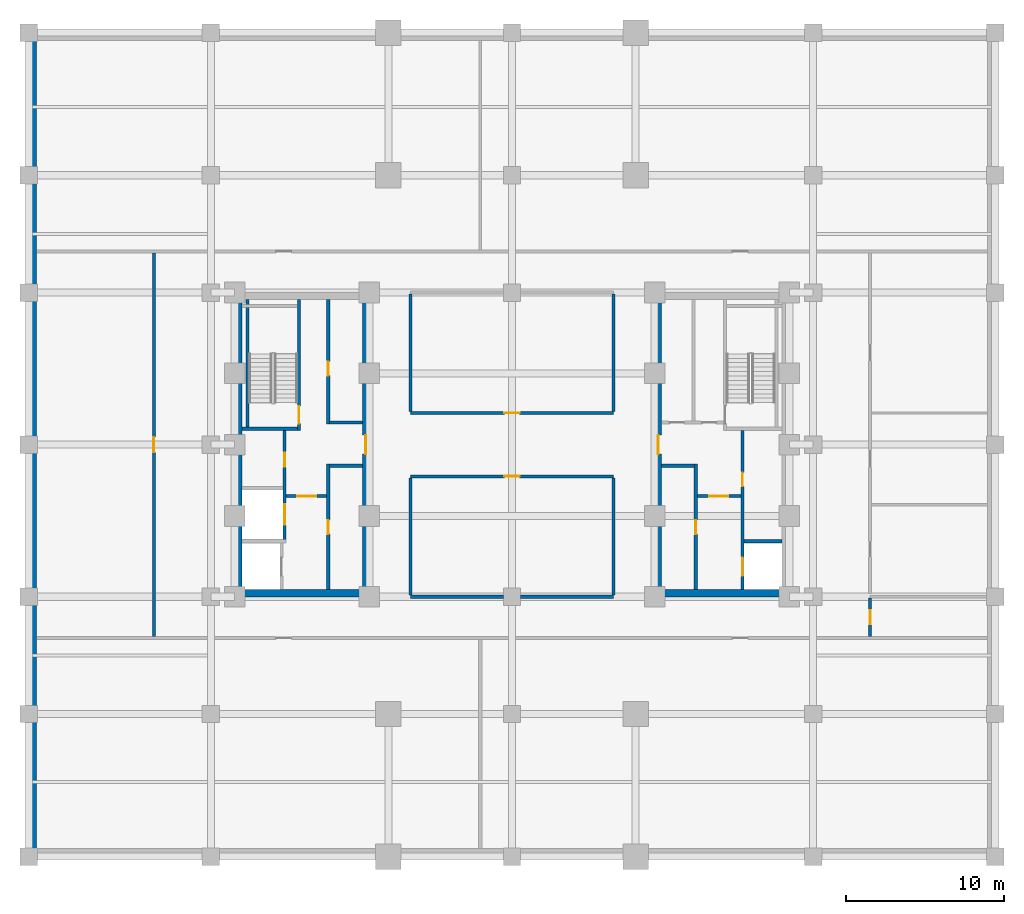
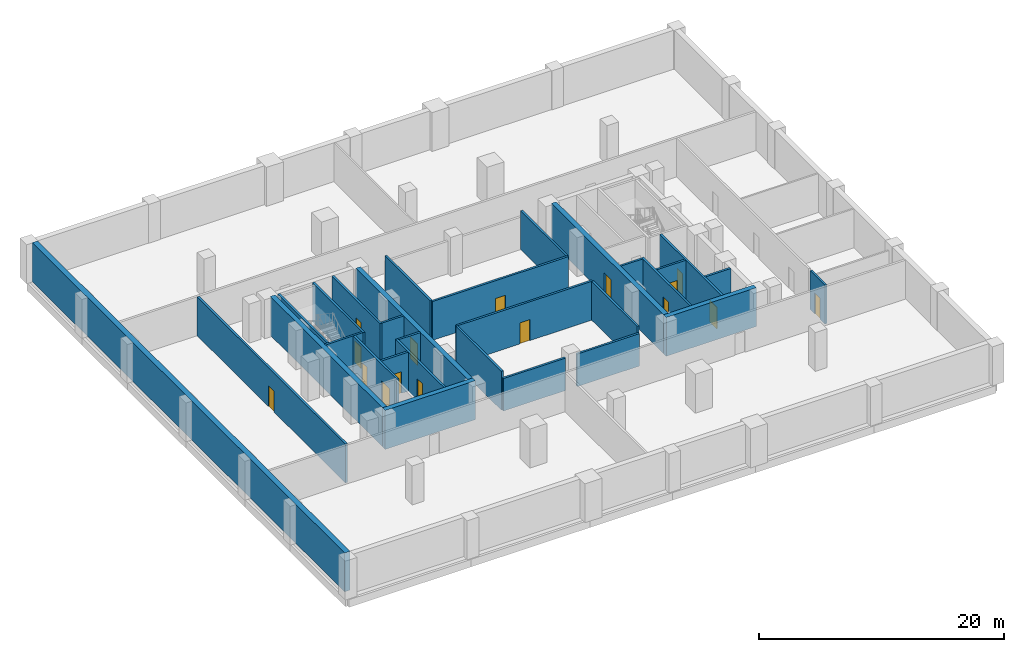
# One storey, part 3 of 6: 30 walls, 16 doors, 16 openings.
"""IFC4 building model written with IfcOpenShell, lengths in metres."""

from ifc_helpers import new_model, si_unit, direction, frame, frame_2d, origin, place, context, subcontext, project, spatial, rectangle, extrude, source, transform, mapped, material, layer, layer_set, type_object, type_shapes, element, fill, save


model = new_model("IFC4")

# Units and contexts
model_context = context("Model", 3, precision=1e-05, world=origin(), true_north=direction((0.0, 1.0)))
body_context = subcontext(model_context, "Body", "Model", "MODEL_VIEW")
ifc_project = project(units=[si_unit("LENGTHUNIT", "METRE"), si_unit("AREAUNIT", "SQUARE_METRE"), si_unit("VOLUMEUNIT", "CUBIC_METRE"), si_unit("PLANEANGLEUNIT", "RADIAN"), si_unit("MASSUNIT", "GRAM", prefix="KILO")], contexts=[model_context])

# Site, building, storey
site_placement = place(None, origin())
site = spatial("IfcSite", under=ifc_project, at=site_placement, CompositionType="ELEMENT")
building_placement = place(site_placement, origin())
building = spatial("IfcBuilding", under=site, at=building_placement, Name="Nuvemarco Arch Tower", CompositionType="ELEMENT")
storey_placement = place(building_placement, frame((0.0, 0.0, -4.199951171875)))
storey = spatial("IfcBuildingStorey", under=building, at=storey_placement, Name="B01", CompositionType="ELEMENT", Elevation=-4.199951171875)

# Walls
ifc_material_1 = material(Name="Concrete C60/75", Category="concrete")
ifc_layer_1 = layer(ifc_material_1, 0.449951171875, Name="WL-CORE-450")
ifc_layer_set_1 = layer_set([ifc_layer_1], Name="Concrete C60/75")
wall_type_1 = type_object("IfcWallType", Name="WL-CORE-450", PredefinedType="SHEAR", material=ifc_layer_set_1)
wall_1_placement = place(storey_placement, frame((-17.5, -9.375, 0.0), z_axis=(0.0, 0.0, 1.0), x_axis=(1.0, 0.0, 0.0)))
element("IfcWall", 1, at=wall_1_placement, inside=storey, type_object=wall_type_1, Name="B01 W-core shear wall S", PredefinedType="SHEAR", context=body_context, shape_type="SweptSolid", body=[
    extrude(rectangle(XDim=8.5, YDim=0.449951171875, at=frame_2d((4.25, 0.0))), origin(), (0.0, 0.0, 1.0), 3.8798828125),
])
wall_2_placement = place(storey_placement, frame((-17.27490234375, -9.155029296875, 0.0), z_axis=(0.0, 0.0, 1.0), x_axis=(0.0, 1.0, 0.0)))
element("IfcWall", 2, at=wall_2_placement, inside=storey, type_object=wall_type_1, Name="B01 W-core shear wall W", PredefinedType="SHEAR", context=body_context, shape_type="SweptSolid", body=[
    extrude(rectangle(XDim=18.31005859375, YDim=0.449951171875, at=frame_2d((9.155029296875, 0.0))), origin(), (0.0, 0.0, 1.0), 3.8798828125),
])

# Wall, opening, door
wall_3_placement = place(storey_placement, frame((-9.22509765625, -9.155029296875, 0.0), z_axis=(0.0, 0.0, 1.0), x_axis=(0.0, 1.0, 0.0)))
wall_3 = element("IfcWall", 3, at=wall_3_placement, inside=storey, type_object=wall_type_1, Name="B01 W-core shear wall E", PredefinedType="SHEAR", context=body_context, shape_type="SweptSolid", body=[
    extrude(rectangle(XDim=18.31005859375, YDim=0.449951171875, at=frame_2d((9.155029296875, 0.0))), origin(), (0.0, 0.0, 1.0), 3.8798828125),
])
opening_1_placement = place(wall_3_placement, frame((8.554931640625, 0.0, 0.0)))
opening_1 = element("IfcOpeningElement", 4, at=opening_1_placement, cuts=wall_3, Name="Opening FD-2", PredefinedType="OPENING", context=body_context, shape_type="SweptSolid", body=[
    extrude(rectangle(XDim=1.199951171875, YDim=2.14990234375, at=frame_2d((0.60009765625, 1.074951171875))), frame((0.0, 0.23486328125, 0.0), z_axis=(0.0, -1.0, 0.0), x_axis=(1.0, 0.0, 0.0)), (0.0, 0.0, 1.0), 0.469970703125),
])
ifc_material_2 = material(Name="Anodised steel fire door", Category="steel")
door_type_1 = type_object("IfcDoorType", Name="DR-FFLOB-FD", OperationType="NOTDEFINED", PredefinedType="DOOR", material=ifc_material_2)
shared_shape_1 = source(origin(), body_context, "Body", "SweptSolid", [
    extrude(rectangle(XDim=1.199951171875, YDim=2.14990234375, at=frame_2d((0.60009765625, 1.074951171875))), frame((0.0, 0.02490234375, 0.0), z_axis=(0.0, -1.0, 0.0), x_axis=(1.0, 0.0, 0.0)), (0.0, 0.0, 1.0), 0.050048828125),
])
type_shapes(door_type_1, [shared_shape_1])
door_1_placement = place(opening_1_placement, origin())
door_1 = element("IfcDoor", 5, at=door_1_placement, inside=storey, type_object=door_type_1, Name="B01 door FD-B01-WCORE-E", OperationType="SINGLE_SWING_LEFT", OverallHeight=2.14990234375, OverallWidth=1.199951171875, PredefinedType="DOOR", context=body_context, shape_type="MappedRepresentation", body=[
    mapped(shared_shape_1, transform((0.0, 0.0, 0.0), scale=1.0)),
])
fill(opening_1, door_1)

# Wall
wall_4_placement = place(storey_placement, frame((9.0, -9.375, 0.0), z_axis=(0.0, 0.0, 1.0), x_axis=(1.0, 0.0, 0.0)))
element("IfcWall", 6, at=wall_4_placement, inside=storey, type_object=wall_type_1, Name="B01 E-core shear wall S", PredefinedType="SHEAR", context=body_context, shape_type="SweptSolid", body=[
    extrude(rectangle(XDim=8.5, YDim=0.449951171875, at=frame_2d((4.25, 0.0))), origin(), (0.0, 0.0, 1.0), 3.8798828125),
])

# Wall, opening, door
wall_5_placement = place(storey_placement, frame((9.22509765625, -9.155029296875, 0.0), z_axis=(0.0, 0.0, 1.0), x_axis=(0.0, 1.0, 0.0)))
wall_5 = element("IfcWall", 7, at=wall_5_placement, inside=storey, type_object=wall_type_1, Name="B01 E-core shear wall W", PredefinedType="SHEAR", context=body_context, shape_type="SweptSolid", body=[
    extrude(rectangle(XDim=18.31005859375, YDim=0.449951171875, at=frame_2d((9.155029296875, 0.0))), origin(), (0.0, 0.0, 1.0), 3.8798828125),
])
opening_2_placement = place(wall_5_placement, frame((8.554931640625, 0.0, 0.0)))
opening_2 = element("IfcOpeningElement", 8, at=opening_2_placement, cuts=wall_5, Name="Opening FD-2", PredefinedType="OPENING", context=body_context, shape_type="SweptSolid", body=[
    extrude(rectangle(XDim=1.199951171875, YDim=2.14990234375, at=frame_2d((0.60009765625, 1.074951171875))), frame((0.0, 0.23486328125, 0.0), z_axis=(0.0, -1.0, 0.0), x_axis=(1.0, 0.0, 0.0)), (0.0, 0.0, 1.0), 0.469970703125),
])
door_2_placement = place(opening_2_placement, origin())
door_2 = element("IfcDoor", 9, at=door_2_placement, inside=storey, type_object=door_type_1, Name="B01 door FD-B01-ECORE-W", OperationType="SINGLE_SWING_RIGHT", OverallHeight=2.14990234375, OverallWidth=1.199951171875, PredefinedType="DOOR", context=body_context, shape_type="MappedRepresentation", body=[
    mapped(shared_shape_1, transform((0.0, 0.0, 0.0), scale=1.0)),
])
fill(opening_2, door_2)

ifc_material_3 = material(Name="Fire-rated gypsum drywall partition")
ifc_layer_2 = layer(ifc_material_3, 0.179931640625, Name="WL-CORR-180")
ifc_layer_set_2 = layer_set([ifc_layer_2], Name="Fire-rated gypsum drywall partition")
wall_type_2 = type_object("IfcWallType", Name="WL-CORR-180", PredefinedType="PARTITIONING", material=ifc_layer_set_2)
wall_6_placement = place(storey_placement, frame((22.60009765625, -12.10400390625, 0.0), z_axis=(0.0, 0.0, 1.0), x_axis=(0.0, 1.0, 0.0)))
wall_6 = element("IfcWall", 10, at=wall_6_placement, inside=storey, type_object=wall_type_2, Name="B01 interior wall IW-B01-019", PredefinedType="PARTITIONING", context=body_context, shape_type="SweptSolid", body=[
    extrude(rectangle(XDim=2.43310546875, YDim=0.179931640625, at=frame_2d((1.216552734375, 0.0))), origin(), (0.0, 0.0, 1.0), 3.869873046875),
])
opening_3_placement = place(wall_6_placement, frame((0.7666015625, 0.0, 0.0)))
opening_3 = element("IfcOpeningElement", 11, at=opening_3_placement, cuts=wall_6, Name="Opening ID-3", PredefinedType="OPENING", context=body_context, shape_type="SweptSolid", body=[
    extrude(rectangle(XDim=0.89990234375, YDim=2.10009765625, at=frame_2d((0.449951171875, 1.050048828125))), frame((0.0, 0.099853515625, 0.0), z_axis=(0.0, -1.0, 0.0), x_axis=(1.0, 0.0, 0.0)), (0.0, 0.0, 1.0), 0.199951171875),
])
ifc_material_4 = material(Name="Veneered oak timber fire door", Category="wood")
door_type_2 = type_object("IfcDoorType", Name="DR-WC-ACC", OperationType="NOTDEFINED", PredefinedType="DOOR", material=ifc_material_4)
shared_shape_2 = source(origin(), body_context, "Body", "SweptSolid", [
    extrude(rectangle(XDim=0.89990234375, YDim=2.10009765625, at=frame_2d((0.449951171875, 1.050048828125))), frame((0.0, 0.02490234375, 0.0), z_axis=(0.0, -1.0, 0.0), x_axis=(1.0, 0.0, 0.0)), (0.0, 0.0, 1.0), 0.050048828125),
])
type_shapes(door_type_2, [shared_shape_2])
door_3_placement = place(opening_3_placement, origin())
door_3 = element("IfcDoor", 12, at=door_3_placement, inside=storey, type_object=door_type_2, Name="B01 door DR-B01-B01_ACC_WC", OperationType="SINGLE_SWING_LEFT", OverallHeight=2.10009765625, OverallWidth=0.89990234375, PredefinedType="DOOR", context=body_context, shape_type="MappedRepresentation", body=[
    mapped(shared_shape_2, transform((0.0, 0.0, 0.0), scale=1.0)),
])
fill(opening_3, door_3)

# Walls
ifc_material_5 = material(Name="Precast concrete C45/55", Category="concrete")
ifc_layer_3 = layer(ifc_material_5, 0.199951171875, Name="WL-PLANT-200")
ifc_layer_set_3 = layer_set([ifc_layer_3], Name="Precast concrete C45/55")
wall_type_3 = type_object("IfcWallType", Name="WL-PLANT-200", PredefinedType="STANDARD", material=ifc_layer_set_3)
for number, where, z_axis, x_axis, name in (
    (13, (-6.39990234375, -9.60009765625, 0.0), (0.0, 0.0, 1.0), (1.0, 0.0, 0.0), "B01 interior wall IW-B01-002"),
    (14, (0.5458984375, -9.60009765625, 0.0), (0.0, 0.0, 1.0), (1.0, 0.0, 0.0), "B01 interior wall IW-B01-003"),
):
    element("IfcWall", number, at=place(storey_placement, frame(where, z_axis=z_axis, x_axis=x_axis)), inside=storey, type_object=wall_type_3, Name=name, PredefinedType="STANDARD", context=body_context, shape_type="SweptSolid", body=[
        extrude(rectangle(XDim=5.85400390625, YDim=0.199951171875, at=frame_2d((2.927001953125, 0.0))), origin(), (0.0, 0.0, 1.0), 3.23486328125),
    ])

# Wall, opening, door
wall_7_placement = place(storey_placement, frame((-6.39990234375, -2.0, 0.0), z_axis=(0.0, 0.0, 1.0), x_axis=(1.0, 0.0, 0.0)))
wall_7 = element("IfcWall", 15, at=wall_7_placement, inside=storey, type_object=wall_type_3, Name="B01 interior wall IW-B01-006", PredefinedType="STANDARD", context=body_context, shape_type="SweptSolid", body=[
    extrude(rectangle(XDim=12.7998046875, YDim=0.199951171875, at=frame_2d((6.39990234375, 0.0))), origin(), (0.0, 0.0, 1.0), 3.869873046875),
])
opening_4_placement = place(wall_7_placement, frame((5.919921875, 0.0, 0.0)))
opening_4 = element("IfcOpeningElement", 16, at=opening_4_placement, cuts=wall_7, Name="Opening FD-5", PredefinedType="OPENING", context=body_context, shape_type="SweptSolid", body=[
    extrude(rectangle(XDim=0.9599609375, YDim=2.10009765625, at=frame_2d((0.47998046875, 1.050048828125))), frame((0.0, 0.10986328125, 0.0), z_axis=(0.0, -1.0, 0.0), x_axis=(1.0, 0.0, 0.0)), (0.0, 0.0, 1.0), 0.219970703125),
])
ifc_material_6 = material(Name="Timber fire door", Category="wood")
door_type_3 = type_object("IfcDoorType", Name="DR-CORR-FD", OperationType="NOTDEFINED", PredefinedType="DOOR", material=ifc_material_6)
shared_shape_3 = source(origin(), body_context, "Body", "SweptSolid", [
    extrude(rectangle(XDim=0.9599609375, YDim=2.10009765625, at=frame_2d((0.47998046875, 1.050048828125))), frame((0.0, 0.02490234375, 0.0), z_axis=(0.0, -1.0, 0.0), x_axis=(1.0, 0.0, 0.0)), (0.0, 0.0, 1.0), 0.050048828125),
])
type_shapes(door_type_3, [shared_shape_3])
door_4_placement = place(opening_4_placement, origin())
door_4 = element("IfcDoor", 17, at=door_4_placement, inside=storey, type_object=door_type_3, Name="B01 door DR-B01-B01_TEL", OperationType="SINGLE_SWING_LEFT", OverallHeight=2.10009765625, OverallWidth=0.9599609375, PredefinedType="DOOR", context=body_context, shape_type="MappedRepresentation", body=[
    mapped(shared_shape_3, transform((0.0, 0.0, 0.0), scale=1.0)),
])
fill(opening_4, door_4)

wall_8_placement = place(storey_placement, frame((-6.39990234375, 2.0, 0.0), z_axis=(0.0, 0.0, 1.0), x_axis=(1.0, 0.0, 0.0)))
wall_8 = element("IfcWall", 18, at=wall_8_placement, inside=storey, type_object=wall_type_3, Name="B01 interior wall IW-B01-007", PredefinedType="STANDARD", context=body_context, shape_type="SweptSolid", body=[
    extrude(rectangle(XDim=12.7998046875, YDim=0.199951171875, at=frame_2d((6.39990234375, 0.0))), origin(), (0.0, 0.0, 1.0), 3.869873046875),
])
opening_5_placement = place(wall_8_placement, frame((5.919921875, 0.0, 0.0)))
opening_5 = element("IfcOpeningElement", 19, at=opening_5_placement, cuts=wall_8, Name="Opening FD-5", PredefinedType="OPENING", context=body_context, shape_type="SweptSolid", body=[
    extrude(rectangle(XDim=0.9599609375, YDim=2.10009765625, at=frame_2d((0.47998046875, 1.050048828125))), frame((0.0, 0.10986328125, 0.0), z_axis=(0.0, -1.0, 0.0), x_axis=(1.0, 0.0, 0.0)), (0.0, 0.0, 1.0), 0.219970703125),
])
door_5_placement = place(opening_5_placement, origin())
door_5 = element("IfcDoor", 20, at=door_5_placement, inside=storey, type_object=door_type_3, Name="B01 door DR-B01-B01_UPS", OperationType="SINGLE_SWING_RIGHT", OverallHeight=2.10009765625, OverallWidth=0.9599609375, PredefinedType="DOOR", context=body_context, shape_type="MappedRepresentation", body=[
    mapped(shared_shape_3, transform((0.0, 0.0, 0.0), scale=1.0)),
])
fill(opening_5, door_5)

wall_9_placement = place(storey_placement, frame((-22.60009765625, -12.10400390625, 0.0), z_axis=(0.0, 0.0, 1.0), x_axis=(0.0, 1.0, 0.0)))
wall_9 = element("IfcWall", 21, at=wall_9_placement, inside=storey, type_object=wall_type_3, Name="B01 interior wall IW-B01-012", PredefinedType="STANDARD", context=body_context, shape_type="SweptSolid", body=[
    extrude(rectangle(XDim=24.2080078125, YDim=0.199951171875, at=frame_2d((12.10400390625, 0.0))), origin(), (0.0, 0.0, 1.0), 3.869873046875),
])
opening_6_placement = place(wall_9_placement, frame((11.6240234375, 0.0, 0.0)))
opening_6 = element("IfcOpeningElement", 22, at=opening_6_placement, cuts=wall_9, Name="Opening FD-5", PredefinedType="OPENING", context=body_context, shape_type="SweptSolid", body=[
    extrude(rectangle(XDim=0.9599609375, YDim=2.10009765625, at=frame_2d((0.47998046875, 1.050048828125))), frame((0.0, 0.10986328125, 0.0), z_axis=(0.0, -1.0, 0.0), x_axis=(1.0, 0.0, 0.0)), (0.0, 0.0, 1.0), 0.219970703125),
])
door_6_placement = place(opening_6_placement, origin())
door_6 = element("IfcDoor", 23, at=door_6_placement, inside=storey, type_object=door_type_3, Name="B01 door DR-B01-B01_SWG", OperationType="SINGLE_SWING_LEFT", OverallHeight=2.10009765625, OverallWidth=0.9599609375, PredefinedType="DOOR", context=body_context, shape_type="MappedRepresentation", body=[
    mapped(shared_shape_3, transform((0.0, 0.0, 0.0), scale=1.0)),
])
fill(opening_6, door_6)

# Walls
for number, where, z_axis, x_axis, name in (
    (24, (-6.39990234375, -9.50390625, 0.0), (0.0, 0.0, 1.0), (0.0, 1.0, 0.0), "B01 interior wall IW-B01-013"),
    (25, (-6.39990234375, 2.095947265625, 0.0), (0.0, 0.0, 1.0), (0.0, 1.0, 0.0), "B01 interior wall IW-B01-014"),
    (26, (6.39990234375, -9.50390625, 0.0), (0.0, 0.0, 1.0), (0.0, 1.0, 0.0), "B01 interior wall IW-B01-017"),
    (27, (6.39990234375, 2.095947265625, 0.0), (0.0, 0.0, 1.0), (0.0, 1.0, 0.0), "B01 interior wall IW-B01-018"),
):
    element("IfcWall", number, at=place(storey_placement, frame(where, z_axis=z_axis, x_axis=x_axis)), inside=storey, type_object=wall_type_3, Name=name, PredefinedType="STANDARD", context=body_context, shape_type="SweptSolid", body=[
        extrude(rectangle(XDim=7.407958984375, YDim=0.199951171875, at=frame_2d((3.7041015625, 0.0))), origin(), (0.0, 0.0, 1.0), 3.869873046875),
    ])
ifc_material_7 = material(Name="Concrete C50/60", Category="concrete")
ifc_layer_4 = layer(ifc_material_7, 0.5, Name="WL-RET-500")
ifc_layer_set_4 = layer_set([ifc_layer_4], Name="Concrete C50/60")
wall_type_4 = type_object("IfcWallType", Name="WL-RET-500", PredefinedType="SOLIDWALL", material=ifc_layer_set_4)
wall_10_placement = place(storey_placement, frame((-30.25, -25.5048828125, 0.0), z_axis=(0.0, 0.0, 1.0), x_axis=(0.0, 1.0, 0.0)))
element("IfcWall", 28, at=wall_10_placement, inside=storey, type_object=wall_type_4, Name="B01 perimeter retaining wall W", PredefinedType="SOLIDWALL", context=body_context, shape_type="SweptSolid", body=[
    extrude(rectangle(XDim=51.009765625, YDim=0.5, at=frame_2d((25.5048828125, 0.0))), origin(), (0.0, 0.0, 1.0), 3.8798828125),
])

# Wall, opening, door
ifc_layer_5 = layer(ifc_material_7, 0.199951171875, Name="WL-SHAFT-220")
ifc_layer_set_5 = layer_set([ifc_layer_5], Name="Concrete C50/60")
wall_type_5 = type_object("IfcWallType", Name="WL-SHAFT-220", PredefinedType="SHEAR", material=ifc_layer_set_5)
wall_11_placement = place(storey_placement, frame((-13.43994140625, 0.89990234375, 0.0), z_axis=(0.0, 0.0, 1.0), x_axis=(0.0, 1.0, 0.0)))
wall_11 = element("IfcWall", 29, at=wall_11_placement, inside=storey, type_object=wall_type_5, Name="B01 structural shaft wall SW-B01-W-ST1E", PredefinedType="SHEAR", context=body_context, shape_type="SweptSolid", body=[
    extrude(rectangle(XDim=8.255126953125, YDim=0.199951171875, at=frame_2d((4.12744140625, 0.0))), origin(), (0.0, 0.0, 1.0), 3.8798828125),
])
opening_7_placement = place(wall_11_placement, frame((1.530029296875, 0.0, 0.0), z_axis=(0.0, 0.0, 1.0), x_axis=(-1.0, 0.0, 0.0)))
opening_7 = element("IfcOpeningElement", 30, at=opening_7_placement, cuts=wall_11, Name="Opening FD-1", PredefinedType="OPENING", context=body_context, shape_type="SweptSolid", body=[
    extrude(rectangle(XDim=1.10009765625, YDim=2.14990234375, at=frame_2d((0.550048828125, 1.074951171875))), frame((0.0, 0.10986328125, 0.0), z_axis=(0.0, -1.0, 0.0), x_axis=(1.0, 0.0, 0.0)), (0.0, 0.0, 1.0), 0.219970703125),
])
door_type_4 = type_object("IfcDoorType", Name="DR-STAIR-FD", OperationType="NOTDEFINED", PredefinedType="DOOR", material=ifc_material_2)
shared_shape_4 = source(origin(), body_context, "Body", "SweptSolid", [
    extrude(rectangle(XDim=1.10009765625, YDim=2.14990234375, at=frame_2d((0.550048828125, 1.074951171875))), frame((0.0, 0.02490234375, 0.0), z_axis=(0.0, -1.0, 0.0), x_axis=(1.0, 0.0, 0.0)), (0.0, 0.0, 1.0), 0.050048828125),
])
type_shapes(door_type_4, [shared_shape_4])
door_7_placement = place(opening_7_placement, origin())
door_7 = element("IfcDoor", 31, at=door_7_placement, inside=storey, type_object=door_type_4, Name="B01 door FD-B01-ST1", OperationType="SINGLE_SWING_RIGHT", OverallHeight=2.14990234375, OverallWidth=1.10009765625, PredefinedType="DOOR", context=body_context, shape_type="MappedRepresentation", body=[
    mapped(shared_shape_4, transform((0.0, 0.0, 0.0), scale=1.0)),
])
fill(opening_7, door_7)

# Walls
wall_12_placement = place(storey_placement, frame((-17.054931640625, 1.0, 0.0), z_axis=(0.0, 0.0, 1.0), x_axis=(1.0, 0.0, 0.0)))
element("IfcWall", 32, at=wall_12_placement, inside=storey, type_object=wall_type_5, Name="B01 structural shaft wall SW-B01-W-ST1S", PredefinedType="SHEAR", context=body_context, shape_type="SweptSolid", body=[
    extrude(rectangle(XDim=3.52001953125, YDim=0.199951171875, at=frame_2d((1.760009765625, 0.0))), origin(), (0.0, 0.0, 1.0), 3.8798828125),
])
wall_13_placement = place(storey_placement, frame((-16.699951171875, 1.094970703125, 0.0), z_axis=(0.0, 0.0, 1.0), x_axis=(0.0, 1.0, 0.0)))
element("IfcWall", 33, at=wall_13_placement, inside=storey, type_object=wall_type_5, Name="B01 structural shaft wall SW-B01-W-ST1W", PredefinedType="SHEAR", context=body_context, shape_type="SweptSolid", body=[
    extrude(rectangle(XDim=8.06005859375, YDim=0.199951171875, at=frame_2d((4.030029296875, 0.0))), origin(), (0.0, 0.0, 1.0), 3.8798828125),
])

# Wall, openings, doors
wall_14_placement = place(storey_placement, frame((-14.35009765625, -6.199951171875, 0.0), z_axis=(0.0, 0.0, 1.0), x_axis=(0.0, 1.0, 0.0)))
wall_14 = element("IfcWall", 34, at=wall_14_placement, inside=storey, type_object=wall_type_5, Name="B01 structural shaft wall SW-B01-W-SVE", PredefinedType="SHEAR", context=body_context, shape_type="SweptSolid", body=[
    extrude(rectangle(XDim=7.10498046875, YDim=0.199951171875, at=frame_2d((3.552490234375, 0.0))), origin(), (0.0, 0.0, 1.0), 3.8798828125),
])
opening_8_placement = place(wall_14_placement, frame((5.68994140625, 0.0, 0.0), z_axis=(0.0, 0.0, 1.0), x_axis=(-1.0, 0.0, 0.0)))
opening_8 = element("IfcOpeningElement", 35, at=opening_8_placement, cuts=wall_14, Name="Opening FD-4", PredefinedType="OPENING", context=body_context, shape_type="SweptSolid", body=[
    extrude(rectangle(XDim=0.8798828125, YDim=2.10009765625, at=frame_2d((0.43994140625, 1.050048828125))), frame((0.0, 0.10986328125, 0.0), z_axis=(0.0, -1.0, 0.0), x_axis=(1.0, 0.0, 0.0)), (0.0, 0.0, 1.0), 0.219970703125),
])
opening_9_placement = place(wall_14_placement, frame((1.14990234375, 0.0, 0.0)))
opening_9 = element("IfcOpeningElement", 36, at=opening_9_placement, cuts=wall_14, Name="Opening LD-3", PredefinedType="OPENING", context=body_context, shape_type="SweptSolid", body=[
    extrude(rectangle(XDim=1.300048828125, YDim=2.199951171875, at=frame_2d((0.64990234375, 1.10009765625))), frame((0.0, 0.10986328125, 0.0), z_axis=(0.0, -1.0, 0.0), x_axis=(1.0, 0.0, 0.0)), (0.0, 0.0, 1.0), 0.219970703125),
])
door_type_5 = type_object("IfcDoorType", Name="DR-RISER-FD", OperationType="NOTDEFINED", PredefinedType="DOOR", material=ifc_material_2)
shared_shape_5 = source(origin(), body_context, "Body", "SweptSolid", [
    extrude(rectangle(XDim=0.8798828125, YDim=2.10009765625, at=frame_2d((0.43994140625, 1.050048828125))), frame((0.0, 0.02490234375, 0.0), z_axis=(0.0, -1.0, 0.0), x_axis=(1.0, 0.0, 0.0)), (0.0, 0.0, 1.0), 0.050048828125),
])
type_shapes(door_type_5, [shared_shape_5])
door_8_placement = place(opening_8_placement, origin())
door_8 = element("IfcDoor", 37, at=door_8_placement, inside=storey, type_object=door_type_5, Name="B01 door FD-B01-WRIS", OperationType="SINGLE_SWING_RIGHT", OverallHeight=2.10009765625, OverallWidth=0.8798828125, PredefinedType="DOOR", context=body_context, shape_type="MappedRepresentation", body=[
    mapped(shared_shape_5, transform((0.0, 0.0, 0.0), scale=1.0)),
])
fill(opening_8, door_8)
ifc_material_8 = material(Name="Stainless steel lift door", Category="steel")
door_type_6 = type_object("IfcDoorType", Name="DR-LIFT-SERV", OperationType="DOUBLE_DOOR_SLIDING", PredefinedType="DOOR", material=ifc_material_8)
shared_shape_6 = source(origin(), body_context, "Body", "SweptSolid", [
    extrude(rectangle(XDim=1.300048828125, YDim=2.199951171875, at=frame_2d((0.64990234375, 1.10009765625))), frame((0.0, 0.02490234375, 0.0), z_axis=(0.0, -1.0, 0.0), x_axis=(1.0, 0.0, 0.0)), (0.0, 0.0, 1.0), 0.050048828125),
])
type_shapes(door_type_6, [shared_shape_6])
door_9_placement = place(opening_9_placement, origin())
door_9 = element("IfcDoor", 38, at=door_9_placement, inside=storey, type_object=door_type_6, Name="B01 Lift landing sliding door SVL-1", OperationType="DOUBLE_DOOR_SLIDING", OverallHeight=2.199951171875, OverallWidth=1.300048828125, PredefinedType="DOOR", context=body_context, shape_type="MappedRepresentation", body=[
    mapped(shared_shape_6, transform((0.0, 0.0, 0.0), scale=1.0)),
])
fill(opening_9, door_9)

# Wall, opening, door
wall_15_placement = place(storey_placement, frame((-11.60009765625, -9.155029296875, 0.0), z_axis=(0.0, 0.0, 1.0), x_axis=(0.0, 1.0, 0.0)))
wall_15 = element("IfcWall", 39, at=wall_15_placement, inside=storey, type_object=wall_type_5, Name="B01 structural shaft wall SW-B01-W-PLW", PredefinedType="SHEAR", context=body_context, shape_type="SweptSolid", body=[
    extrude(rectangle(XDim=7.925048828125, YDim=0.199951171875, at=frame_2d((3.96240234375, 0.0))), origin(), (0.0, 0.0, 1.0), 3.8798828125),
])
opening_10_placement = place(wall_15_placement, frame((3.514892578125, 0.0, 0.0)))
opening_10 = element("IfcOpeningElement", 40, at=opening_10_placement, cuts=wall_15, Name="Opening FD-4", PredefinedType="OPENING", context=body_context, shape_type="SweptSolid", body=[
    extrude(rectangle(XDim=0.8798828125, YDim=2.10009765625, at=frame_2d((0.43994140625, 1.050048828125))), frame((0.0, 0.10986328125, 0.0), z_axis=(0.0, -1.0, 0.0), x_axis=(1.0, 0.0, 0.0)), (0.0, 0.0, 1.0), 0.219970703125),
])
door_10_placement = place(opening_10_placement, origin())
door_10 = element("IfcDoor", 41, at=door_10_placement, inside=storey, type_object=door_type_5, Name="B01 door FD-B01-WBST1", OperationType="SINGLE_SWING_RIGHT", OverallHeight=2.10009765625, OverallWidth=0.8798828125, PredefinedType="DOOR", context=body_context, shape_type="MappedRepresentation", body=[
    mapped(shared_shape_5, transform((0.0, 0.0, 0.0), scale=1.0)),
])
fill(opening_10, door_10)

wall_16_placement = place(storey_placement, frame((-14.2548828125, -3.25, 0.0), z_axis=(0.0, 0.0, 1.0), x_axis=(1.0, 0.0, 0.0)))
wall_16 = element("IfcWall", 42, at=wall_16_placement, inside=storey, type_object=wall_type_5, Name="B01 structural shaft wall SW-B01-W-FFN", PredefinedType="SHEAR", context=body_context, shape_type="SweptSolid", body=[
    extrude(rectangle(XDim=2.559814453125, YDim=0.199951171875, at=frame_2d((1.27978515625, 0.0))), origin(), (0.0, 0.0, 1.0), 3.8798828125),
])
opening_11_placement = place(wall_16_placement, frame((0.705078125, 0.0, 0.0)))
opening_11 = element("IfcOpeningElement", 43, at=opening_11_placement, cuts=wall_16, Name="Opening FD-2", PredefinedType="OPENING", context=body_context, shape_type="SweptSolid", body=[
    extrude(rectangle(XDim=1.199951171875, YDim=2.14990234375, at=frame_2d((0.60009765625, 1.074951171875))), frame((0.0, 0.10986328125, 0.0), z_axis=(0.0, -1.0, 0.0), x_axis=(1.0, 0.0, 0.0)), (0.0, 0.0, 1.0), 0.219970703125),
])
door_11_placement = place(opening_11_placement, origin())
door_11 = element("IfcDoor", 44, at=door_11_placement, inside=storey, type_object=door_type_1, Name="B01 door FD-B01-WFF1", OperationType="SINGLE_SWING_RIGHT", OverallHeight=2.14990234375, OverallWidth=1.199951171875, PredefinedType="DOOR", context=body_context, shape_type="MappedRepresentation", body=[
    mapped(shared_shape_1, transform((0.0, 0.0, 0.0), scale=1.0)),
])
fill(opening_11, door_11)

# Wall
wall_17_placement = place(storey_placement, frame((-11.5048828125, -1.330078125, 0.0), z_axis=(0.0, 0.0, 1.0), x_axis=(1.0, 0.0, 0.0)))
element("IfcWall", 45, at=wall_17_placement, inside=storey, type_object=wall_type_5, Name="B01 structural shaft wall SW-B01-W-PLTOP", PredefinedType="SHEAR", context=body_context, shape_type="SweptSolid", body=[
    extrude(rectangle(XDim=2.059814453125, YDim=0.199951171875, at=frame_2d((1.02978515625, 0.0))), origin(), (0.0, 0.0, 1.0), 3.8798828125),
])

# Wall, opening, door
wall_18_placement = place(storey_placement, frame((-11.60009765625, 1.300048828125, 0.0), z_axis=(0.0, 0.0, 1.0), x_axis=(0.0, 1.0, 0.0)))
wall_18 = element("IfcWall", 46, at=wall_18_placement, inside=storey, type_object=wall_type_5, Name="B01 structural shaft wall SW-B01-W-PHW", PredefinedType="SHEAR", context=body_context, shape_type="SweptSolid", body=[
    extrude(rectangle(XDim=7.85498046875, YDim=0.199951171875, at=frame_2d((3.927490234375, 0.0))), origin(), (0.0, 0.0, 1.0), 3.8798828125),
])
opening_12_placement = place(wall_18_placement, frame((3.06005859375, 0.0, 0.0)))
opening_12 = element("IfcOpeningElement", 47, at=opening_12_placement, cuts=wall_18, Name="Opening FD-4", PredefinedType="OPENING", context=body_context, shape_type="SweptSolid", body=[
    extrude(rectangle(XDim=0.8798828125, YDim=2.10009765625, at=frame_2d((0.43994140625, 1.050048828125))), frame((0.0, 0.10986328125, 0.0), z_axis=(0.0, -1.0, 0.0), x_axis=(1.0, 0.0, 0.0)), (0.0, 0.0, 1.0), 0.219970703125),
])
door_12_placement = place(opening_12_placement, origin())
door_12 = element("IfcDoor", 48, at=door_12_placement, inside=storey, type_object=door_type_5, Name="B01 door FD-B01-WBST2", OperationType="SINGLE_SWING_LEFT", OverallHeight=2.10009765625, OverallWidth=0.8798828125, PredefinedType="DOOR", context=body_context, shape_type="MappedRepresentation", body=[
    mapped(shared_shape_5, transform((0.0, 0.0, 0.0), scale=1.0)),
])
fill(opening_12, door_12)

# Wall
wall_19_placement = place(storey_placement, frame((-11.5048828125, 1.39990234375, 0.0), z_axis=(0.0, 0.0, 1.0), x_axis=(1.0, 0.0, 0.0)))
element("IfcWall", 49, at=wall_19_placement, inside=storey, type_object=wall_type_5, Name="B01 structural shaft wall SW-B01-W-PHBOT", PredefinedType="SHEAR", context=body_context, shape_type="SweptSolid", body=[
    extrude(rectangle(XDim=2.059814453125, YDim=0.199951171875, at=frame_2d((1.02978515625, 0.0))), origin(), (0.0, 0.0, 1.0), 3.8798828125),
])

# Wall, openings, doors
wall_20_placement = place(storey_placement, frame((14.550048828125, -9.155029296875, 0.0), z_axis=(0.0, 0.0, 1.0), x_axis=(0.0, 1.0, 0.0)))
wall_20 = element("IfcWall", 50, at=wall_20_placement, inside=storey, type_object=wall_type_5, Name="B01 structural shaft wall SW-B01-E-SHW", PredefinedType="SHEAR", context=body_context, shape_type="SweptSolid", body=[
    extrude(rectangle(XDim=10.06005859375, YDim=0.199951171875, at=frame_2d((5.030029296875, 0.0))), origin(), (0.0, 0.0, 1.0), 3.8798828125),
])
opening_13_placement = place(wall_20_placement, frame((6.514892578125, 0.0, 0.0)))
opening_13 = element("IfcOpeningElement", 51, at=opening_13_placement, cuts=wall_20, Name="Opening FD-4", PredefinedType="OPENING", context=body_context, shape_type="SweptSolid", body=[
    extrude(rectangle(XDim=0.8798828125, YDim=2.10009765625, at=frame_2d((0.43994140625, 1.050048828125))), frame((0.0, 0.10986328125, 0.0), z_axis=(0.0, -1.0, 0.0), x_axis=(1.0, 0.0, 0.0)), (0.0, 0.0, 1.0), 0.219970703125),
])
opening_14_placement = place(wall_20_placement, frame((0.8798828125, 0.0, 0.0)))
opening_14 = element("IfcOpeningElement", 52, at=opening_14_placement, cuts=wall_20, Name="Opening LD-2", PredefinedType="OPENING", context=body_context, shape_type="SweptSolid", body=[
    extrude(rectangle(XDim=1.14990234375, YDim=2.14990234375, at=frame_2d((0.574951171875, 1.074951171875))), frame((0.0, 0.10986328125, 0.0), z_axis=(0.0, -1.0, 0.0), x_axis=(1.0, 0.0, 0.0)), (0.0, 0.0, 1.0), 0.219970703125),
])
door_13_placement = place(opening_13_placement, origin())
door_13 = element("IfcDoor", 53, at=door_13_placement, inside=storey, type_object=door_type_5, Name="B01 door FD-B01-ERIS", OperationType="SINGLE_SWING_LEFT", OverallHeight=2.10009765625, OverallWidth=0.8798828125, PredefinedType="DOOR", context=body_context, shape_type="MappedRepresentation", body=[
    mapped(shared_shape_5, transform((0.0, 0.0, 0.0), scale=1.0)),
])
fill(opening_13, door_13)
door_type_7 = type_object("IfcDoorType", Name="DR-LIFT-FIRE", OperationType="DOUBLE_DOOR_SLIDING", PredefinedType="DOOR", material=ifc_material_8)
shared_shape_7 = source(origin(), body_context, "Body", "SweptSolid", [
    extrude(rectangle(XDim=1.14990234375, YDim=2.14990234375, at=frame_2d((0.574951171875, 1.074951171875))), frame((0.0, 0.02490234375, 0.0), z_axis=(0.0, -1.0, 0.0), x_axis=(1.0, 0.0, 0.0)), (0.0, 0.0, 1.0), 0.050048828125),
])
type_shapes(door_type_7, [shared_shape_7])
door_14_placement = place(opening_14_placement, origin())
door_14 = element("IfcDoor", 54, at=door_14_placement, inside=storey, type_object=door_type_7, Name="B01 Lift landing sliding door FFL-2", OperationType="DOUBLE_DOOR_SLIDING", OverallHeight=2.14990234375, OverallWidth=1.14990234375, PredefinedType="DOOR", context=body_context, shape_type="MappedRepresentation", body=[
    mapped(shared_shape_7, transform((0.0, 0.0, 0.0), scale=1.0)),
])
fill(opening_14, door_14)

# Wall
wall_21_placement = place(storey_placement, frame((14.64501953125, -6.10009765625, 0.0), z_axis=(0.0, 0.0, 1.0), x_axis=(1.0, 0.0, 0.0)))
element("IfcWall", 55, at=wall_21_placement, inside=storey, type_object=wall_type_5, Name="B01 structural shaft wall SW-B01-E-SH1", PredefinedType="SHEAR", context=body_context, shape_type="SweptSolid", body=[
    extrude(rectangle(XDim=2.409912109375, YDim=0.199951171875, at=frame_2d((1.205078125, 0.0))), origin(), (0.0, 0.0, 1.0), 3.8798828125),
])

# Wall, opening, door
wall_22_placement = place(storey_placement, frame((11.60009765625, -9.155029296875, 0.0), z_axis=(0.0, 0.0, 1.0), x_axis=(0.0, 1.0, 0.0)))
wall_22 = element("IfcWall", 56, at=wall_22_placement, inside=storey, type_object=wall_type_5, Name="B01 structural shaft wall SW-B01-E-PME", PredefinedType="SHEAR", context=body_context, shape_type="SweptSolid", body=[
    extrude(rectangle(XDim=7.925048828125, YDim=0.199951171875, at=frame_2d((3.96240234375, 0.0))), origin(), (0.0, 0.0, 1.0), 3.8798828125),
])
opening_15_placement = place(wall_22_placement, frame((3.514892578125, 0.0, 0.0)))
opening_15 = element("IfcOpeningElement", 57, at=opening_15_placement, cuts=wall_22, Name="Opening FD-4", PredefinedType="OPENING", context=body_context, shape_type="SweptSolid", body=[
    extrude(rectangle(XDim=0.8798828125, YDim=2.10009765625, at=frame_2d((0.43994140625, 1.050048828125))), frame((0.0, 0.10986328125, 0.0), z_axis=(0.0, -1.0, 0.0), x_axis=(1.0, 0.0, 0.0)), (0.0, 0.0, 1.0), 0.219970703125),
])
door_15_placement = place(opening_15_placement, origin())
door_15 = element("IfcDoor", 58, at=door_15_placement, inside=storey, type_object=door_type_5, Name="B01 door FD-B01-EBST1", OperationType="SINGLE_SWING_RIGHT", OverallHeight=2.10009765625, OverallWidth=0.8798828125, PredefinedType="DOOR", context=body_context, shape_type="MappedRepresentation", body=[
    mapped(shared_shape_5, transform((0.0, 0.0, 0.0), scale=1.0)),
])
fill(opening_15, door_15)

wall_23_placement = place(storey_placement, frame((11.695068359375, -3.25, 0.0), z_axis=(0.0, 0.0, 1.0), x_axis=(1.0, 0.0, 0.0)))
wall_23 = element("IfcWall", 59, at=wall_23_placement, inside=storey, type_object=wall_type_5, Name="B01 structural shaft wall SW-B01-E-FFN", PredefinedType="SHEAR", context=body_context, shape_type="SweptSolid", body=[
    extrude(rectangle(XDim=2.760009765625, YDim=0.199951171875, at=frame_2d((1.3798828125, 0.0))), origin(), (0.0, 0.0, 1.0), 3.8798828125),
])
opening_16_placement = place(wall_23_placement, frame((0.7548828125, 0.0, 0.0)))
opening_16 = element("IfcOpeningElement", 60, at=opening_16_placement, cuts=wall_23, Name="Opening FD-2", PredefinedType="OPENING", context=body_context, shape_type="SweptSolid", body=[
    extrude(rectangle(XDim=1.199951171875, YDim=2.14990234375, at=frame_2d((0.60009765625, 1.074951171875))), frame((0.0, 0.10986328125, 0.0), z_axis=(0.0, -1.0, 0.0), x_axis=(1.0, 0.0, 0.0)), (0.0, 0.0, 1.0), 0.219970703125),
])
door_16_placement = place(opening_16_placement, origin())
door_16 = element("IfcDoor", 61, at=door_16_placement, inside=storey, type_object=door_type_1, Name="B01 door FD-B01-EFF2", OperationType="SINGLE_SWING_LEFT", OverallHeight=2.14990234375, OverallWidth=1.199951171875, PredefinedType="DOOR", context=body_context, shape_type="MappedRepresentation", body=[
    mapped(shared_shape_1, transform((0.0, 0.0, 0.0), scale=1.0)),
])
fill(opening_16, door_16)

# Wall
wall_24_placement = place(storey_placement, frame((9.445068359375, -1.330078125, 0.0), z_axis=(0.0, 0.0, 1.0), x_axis=(1.0, 0.0, 0.0)))
element("IfcWall", 62, at=wall_24_placement, inside=storey, type_object=wall_type_5, Name="B01 structural shaft wall SW-B01-E-PMTOP", PredefinedType="SHEAR", context=body_context, shape_type="SweptSolid", body=[
    extrude(rectangle(XDim=2.059814453125, YDim=0.199951171875, at=frame_2d((1.02978515625, 0.0))), origin(), (0.0, 0.0, 1.0), 3.8798828125),
])

save(model, "model.ifc")
